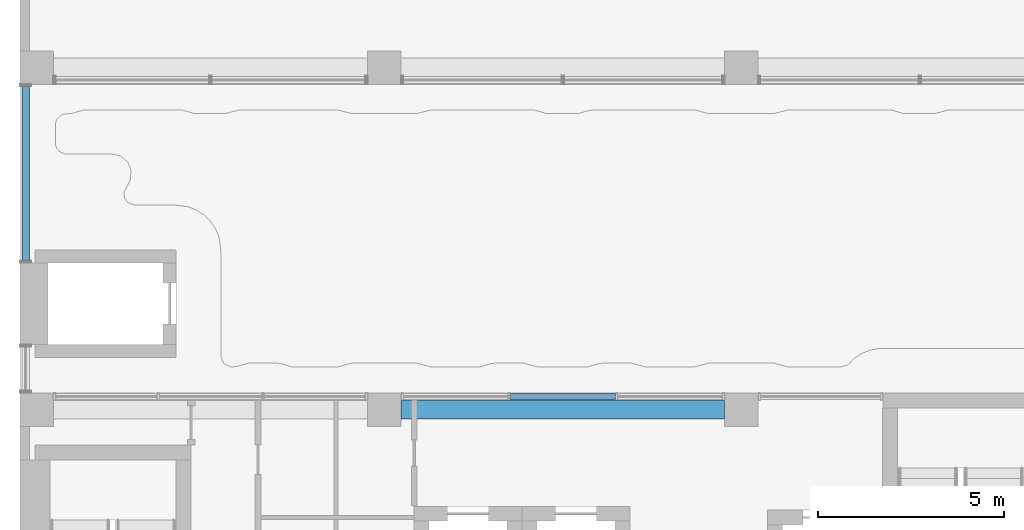
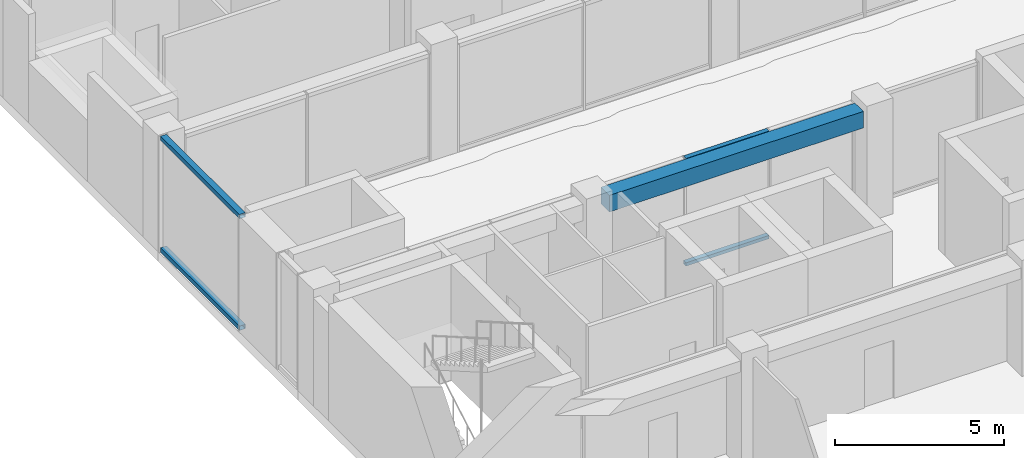
# One storey, part 7 of 72: 4 members, 1 beam, 2 elements without a shape of their own.
"""IFC4 building model written with IfcOpenShell, lengths in metres."""

from ifc_helpers import new_model, si_unit, direction, frame, origin, origin_2d, place, context, subcontext, project, spatial, rectangle, hollow_rectangle, extrude, material, layer, layer_set, material_profile, profile_set, type_object, element, aggregate, save


model = new_model("IFC4")

# Units and contexts
model_context = context("Model", 3, precision=1e-05, world=origin(), true_north=direction((0.0, 1.0)))
body_context = subcontext(model_context, "Body", "Model", "MODEL_VIEW")
ifc_project = project(units=[si_unit("LENGTHUNIT", "METRE"), si_unit("AREAUNIT", "SQUARE_METRE"), si_unit("VOLUMEUNIT", "CUBIC_METRE"), si_unit("PLANEANGLEUNIT", "RADIAN"), si_unit("MASSUNIT", "GRAM", prefix="KILO")], contexts=[model_context])

# Site, building, storey
site_placement = place(None, origin())
site = spatial("IfcSite", under=ifc_project, at=site_placement, CompositionType="ELEMENT")
building_placement = place(site_placement, origin())
building = spatial("IfcBuilding", under=site, at=building_placement, Name="Nzadi Deep Aquarium and Research Tower", CompositionType="ELEMENT")
storey_placement = place(building_placement, frame((0.0, 0.0, 31.89990234375)))
storey = spatial("IfcBuildingStorey", under=building, at=storey_placement, Name="L05", CompositionType="ELEMENT", Elevation=31.89990234375)

# Beam
ifc_material_1 = material(Name="Concrete C35/45", Category="concrete")
ifc_material_profile_1 = material_profile(ifc_material_1, rectangle(XDim=0.5, YDim=0.60009765625, at=origin_2d()))
ifc_profile_set_1 = profile_set([ifc_material_profile_1], Name="Concrete C35/45")
beam_type = type_object("IfcBeamType", Name="RC 500x600", PredefinedType="BEAM", material=ifc_profile_set_1)
beam_placement = place(storey_placement, frame((10.050048828125, 18.39990234375, 3.60009765625), z_axis=(1.0, 0.0, 0.0), x_axis=(0.0, 1.0, 0.0)))
element("IfcBeam", 1, at=beam_placement, inside=storey, type_object=beam_type, Name="B-Z1-L05-L3-2", PredefinedType="BEAM", context=body_context, shape_type="SweptSolid", body=[
    extrude(rectangle(XDim=0.5, YDim=0.60009765625, at=origin_2d()), origin(), (0.0, 0.0, 1.0), 8.699951171875),
])

# Curtain wall, members
ifc_material_2 = material(Name="Aluminium unitised frame", Category="aluminium")
ifc_layer_1 = layer(ifc_material_2, 0.199951171875)
ifc_layer_set_1 = layer_set([ifc_layer_1], Name="Aluminium unitised frame")
curtain_wall_type_1 = type_object("IfcCurtainWallType", Name="Curtain wall Unitised 200", PredefinedType="NOTDEFINED", material=ifc_layer_set_1)
curtain_wall_1_placement = place(storey_placement, origin())
curtain_wall_1 = element("IfcCurtainWall", 2, at=curtain_wall_1_placement, inside=storey, type_object=curtain_wall_type_1, Name="Unitised curtain wall blade A north L05", PredefinedType="NOTDEFINED")
ifc_material_3 = material(Name="Aluminium unitised frame", Category="aluminium")
ifc_material_profile_2 = material_profile(ifc_material_3, hollow_rectangle(XDim=0.159912109375, YDim=0.1201171875, WallThickness=0.0048828125, at=origin_2d()))
ifc_profile_set_2 = profile_set([ifc_material_profile_2], Name="Aluminium unitised frame")
member_type_1 = type_object("IfcMemberType", Name="Transom 120x160 Unitised", PredefinedType="MULLION", material=ifc_profile_set_2)
member_1_placement = place(storey_placement, frame((12.97998046875, 18.75, 0.06005859375), z_axis=(1.0, 0.0, 0.0), x_axis=(0.0, 1.0, 0.0)))
member_1 = element("IfcMember", 3, at=member_1_placement, type_object=member_type_1, Name="CW003 transom 2.1", PredefinedType="MULLION", context=body_context, shape_type="SweptSolid", body=[
    extrude(hollow_rectangle(XDim=0.159912109375, YDim=0.1201171875, WallThickness=0.0048828125, at=origin_2d()), origin(), (0.0, 0.0, 1.0), 2.840087890625),
])
member_2_placement = place(storey_placement, frame((12.97998046875, 18.75, 3.840087890625), z_axis=(1.0, 0.0, 0.0), x_axis=(0.0, 1.0, 0.0)))
member_2 = element("IfcMember", 4, at=member_2_placement, type_object=member_type_1, Name="CW003 transom 2.2", PredefinedType="MULLION", context=body_context, shape_type="SweptSolid", body=[
    extrude(hollow_rectangle(XDim=0.159912109375, YDim=0.1201171875, WallThickness=0.0048828125, at=origin_2d()), origin(), (0.0, 0.0, 1.0), 2.840087890625),
])
aggregate(curtain_wall_1, [member_1, member_2])

ifc_material_4 = material(Name="Aluminium unitised frame wind post", Category="aluminium")
ifc_layer_2 = layer(ifc_material_4, 0.300048828125)
ifc_layer_set_2 = layer_set([ifc_layer_2], Name="Aluminium unitised frame wind post")
curtain_wall_type_2 = type_object("IfcCurtainWallType", Name="Curtain wall Slot End 300", PredefinedType="NOTDEFINED", material=ifc_layer_set_2)
curtain_wall_2_placement = place(storey_placement, origin())
curtain_wall_2 = element("IfcCurtainWall", 5, at=curtain_wall_2_placement, inside=storey, type_object=curtain_wall_type_2, Name="Glazed slot end west L05", PredefinedType="NOTDEFINED")
ifc_material_5 = material(Name="Aluminium unitised frame wind post", Category="aluminium")
ifc_material_profile_3 = material_profile(ifc_material_5, hollow_rectangle(XDim=0.199951171875, YDim=0.159912109375, WallThickness=0.0048828125, at=origin_2d()))
ifc_profile_set_3 = profile_set([ifc_material_profile_3], Name="Aluminium unitised frame wind post")
member_type_2 = type_object("IfcMemberType", Name="Transom 160x200 Slot End", PredefinedType="MULLION", material=ifc_profile_set_3)
member_3_placement = place(storey_placement, frame((-0.050048828125, 22.409912109375, 0.080078125), z_axis=(0.0, 1.0, 0.0), x_axis=(-1.0, 0.0, 0.0)))
member_3 = element("IfcMember", 6, at=member_3_placement, type_object=member_type_2, Name="CW201 transom 1.1", PredefinedType="MULLION", context=body_context, shape_type="SweptSolid", body=[
    extrude(hollow_rectangle(XDim=0.199951171875, YDim=0.159912109375, WallThickness=0.0048828125, at=origin_2d()), origin(), (0.0, 0.0, 1.0), 4.68017578125),
])
member_4_placement = place(storey_placement, frame((-0.050048828125, 22.409912109375, 4.1201171875), z_axis=(0.0, 1.0, 0.0), x_axis=(-1.0, 0.0, 0.0)))
member_4 = element("IfcMember", 7, at=member_4_placement, type_object=member_type_2, Name="CW201 transom 1.2", PredefinedType="MULLION", context=body_context, shape_type="SweptSolid", body=[
    extrude(hollow_rectangle(XDim=0.199951171875, YDim=0.159912109375, WallThickness=0.0048828125, at=origin_2d()), origin(), (0.0, 0.0, 1.0), 4.68017578125),
])
aggregate(curtain_wall_2, [member_3, member_4])

save(model, "model.ifc")
